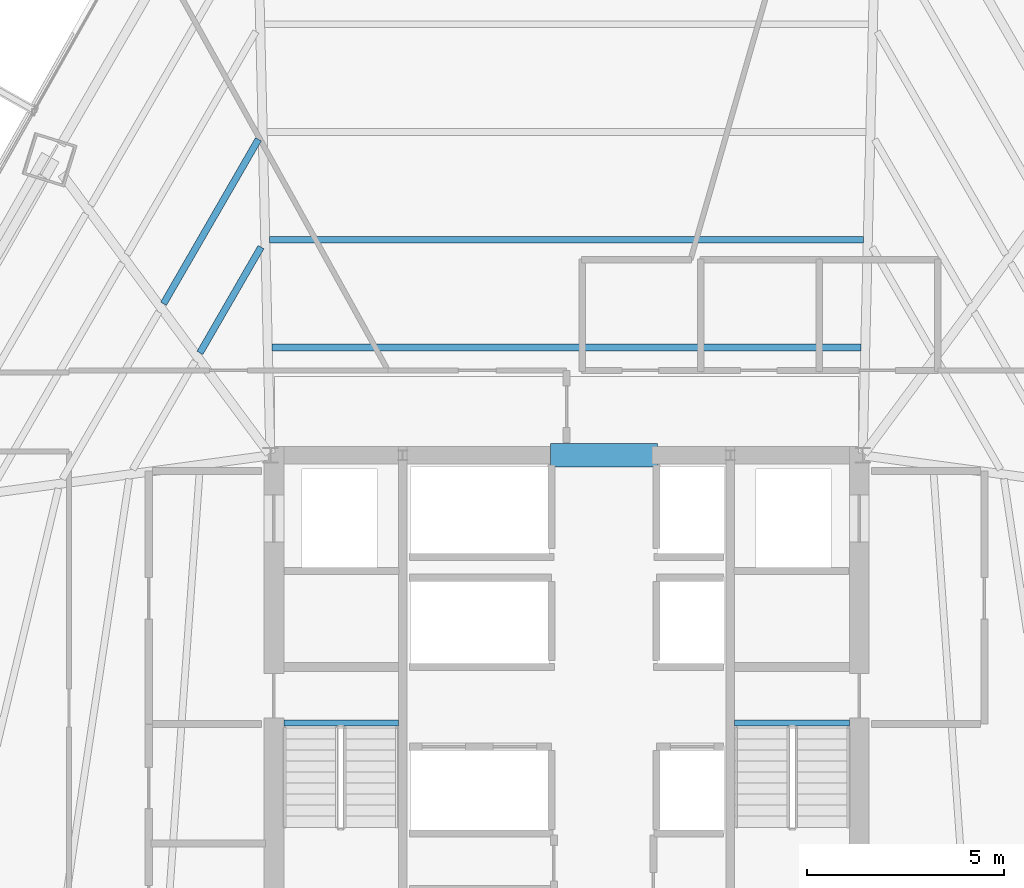
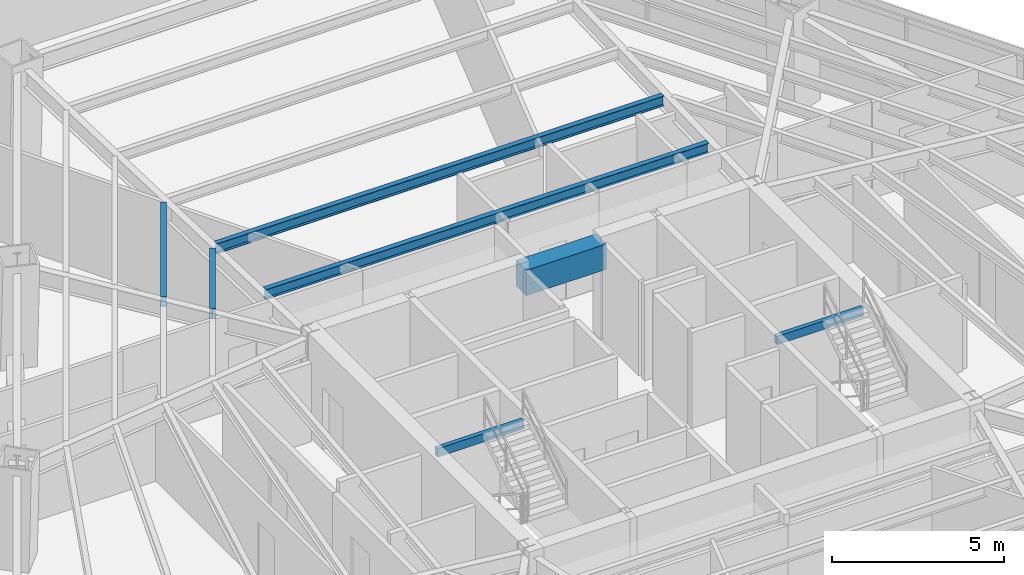
# One storey, part 14 of 36: 7 beams.
"""IFC4 building model written with IfcOpenShell, lengths in metres."""

from ifc_helpers import new_model, si_unit, direction, frame, origin, origin_2d, place, context, subcontext, project, spatial, rectangle, hollow_rectangle, i_section, extrude, source, transform, mapped, material, material_profile, profile_set, type_object, type_shapes, element, save


model = new_model("IFC4")

# Units and contexts
model_context = context("Model", 3, precision=1e-05, world=origin(), true_north=direction((0.0, 1.0)))
body_context = subcontext(model_context, "Body", "Model", "MODEL_VIEW")
ifc_project = project(units=[si_unit("LENGTHUNIT", "METRE"), si_unit("AREAUNIT", "SQUARE_METRE"), si_unit("VOLUMEUNIT", "CUBIC_METRE"), si_unit("PLANEANGLEUNIT", "RADIAN"), si_unit("MASSUNIT", "GRAM", prefix="KILO")], contexts=[model_context])

# Site, building, storey
site_placement = place(None, origin())
site = spatial("IfcSite", under=ifc_project, at=site_placement, CompositionType="ELEMENT")
building_placement = place(site_placement, origin())
building = spatial("IfcBuilding", under=site, at=building_placement, Name="Caelisora Broadcast Tower", CompositionType="ELEMENT")
storey_placement = place(building_placement, frame((0.0, 0.0, 83.5)))
storey = spatial("IfcBuildingStorey", under=building, at=storey_placement, Name="L21", CompositionType="ELEMENT", Elevation=83.5)

# Beams
ifc_material_1 = material(Name="Steel Grade 350 (AS/NZS 1163 C350L0)", Category="steel")
ifc_material_profile_1 = material_profile(ifc_material_1, hollow_rectangle(XDim=0.14990234375, YDim=0.300048828125, WallThickness=0.010009765625, at=origin_2d()), Name="Steel Grade 350 (AS/NZS 1163 C350L0)")
ifc_profile_set_1 = profile_set([ifc_material_profile_1], Name="Steel Grade 350 (AS/NZS 1163 C350L0)")
beam_type_1 = type_object("IfcBeamType", Name="SB05", PredefinedType="JOIST", material=ifc_profile_set_1)
shared_shape_1 = source(origin(), body_context, "Body", "SweptSolid", [
    extrude(hollow_rectangle(XDim=0.14990234375, YDim=0.300048828125, WallThickness=0.010009765625, at=origin_2d()), origin(), (0.0, 0.0, 1.0), 2.89990234375),
])
type_shapes(beam_type_1, [shared_shape_1])
for number, where, z_axis, x_axis, name in (
    (1, (30.840087890625, 23.219970703125, 3.25), (1.0, 0.0, 0.0), (0.0, 1.0, 0.0), "L21 beam SB05"),
    (2, (42.260009765625, 23.219970703125, 3.25), (1.0, 0.0, 0.0), (0.0, 1.0, 0.0), "L21 beam SB05"),
):
    element("IfcBeam", number, at=place(storey_placement, frame(where, z_axis=z_axis, x_axis=x_axis)), inside=storey, type_object=beam_type_1, Name=name, PredefinedType="JOIST", context=body_context, shape_type="MappedRepresentation", body=[
        mapped(shared_shape_1, transform((0.0, 0.0, 0.0), scale=1.0)),
    ])
ifc_material_2 = material(Name="Concrete 50 MPa (AS 3600 S50)", Category="concrete")
ifc_material_profile_2 = material_profile(ifc_material_2, rectangle(XDim=0.60009765625, YDim=0.89990234375, at=origin_2d()), Name="Concrete 50 MPa (AS 3600 S50)")
ifc_profile_set_2 = profile_set([ifc_material_profile_2], Name="Concrete 50 MPa (AS 3600 S50)")
beam_type_2 = type_object("IfcBeamType", Name="CB02", PredefinedType="LINTEL", material=ifc_profile_set_2)
shared_shape_2 = source(origin(), body_context, "Body", "SweptSolid", [
    extrude(rectangle(XDim=0.60009765625, YDim=0.89990234375, at=origin_2d()), origin(), (0.0, 0.0, 1.0), 2.699951171875),
])
type_shapes(beam_type_2, [shared_shape_2])
beam_1_placement = place(storey_placement, frame((37.60009765625, 30.0, 2.949951171875), z_axis=(1.0, 0.0, 0.0), x_axis=(0.0, 1.0, 0.0)))
element("IfcBeam", 3, at=beam_1_placement, inside=storey, type_object=beam_type_2, Name="L21 beam CB02", PredefinedType="LINTEL", context=body_context, shape_type="MappedRepresentation", body=[
    mapped(shared_shape_2, transform((0.0, 0.0, 0.0), scale=1.0)),
])
ifc_material_3 = material(Name="Steel Grade 350 (AS/NZS 3679.1)", Category="steel")
ifc_material_profile_3 = material_profile(ifc_material_3, i_section(OverallWidth=0.172119140625, OverallDepth=0.358642578125, WebThickness=0.008056640625, FlangeThickness=0.012939453125, at=origin_2d()), Name="Steel Grade 350 (AS/NZS 3679.1)")
ifc_profile_set_3 = profile_set([ifc_material_profile_3], Name="Steel Grade 350 (AS/NZS 3679.1)")
beam_type_3 = type_object("IfcBeamType", Name="SB02", PredefinedType="JOIST", material=ifc_profile_set_3)
shared_shape_3 = source(origin(), body_context, "Body", "SweptSolid", [
    extrude(i_section(OverallWidth=0.172119140625, OverallDepth=0.358642578125, WebThickness=0.008056640625, FlangeThickness=0.012939453125, at=origin_2d()), origin(), (0.0, 0.0, 1.0), 14.90771484375),
])
beam_2_placement = place(storey_placement, frame((45.453857421875, 32.7294921875, 3.220703125), z_axis=(-1.0, 0.0, 0.0), x_axis=(0.0, -1.0, 0.0)))
element("IfcBeam", 4, at=beam_2_placement, inside=storey, type_object=beam_type_3, Name="L21 beam SB02", PredefinedType="JOIST", context=body_context, shape_type="MappedRepresentation", body=[
    mapped(shared_shape_3, transform((0.0, 0.0, 0.0), scale=1.0)),
])
shared_shape_4 = source(origin(), body_context, "Body", "SweptSolid", [
    extrude(i_section(OverallWidth=0.172119140625, OverallDepth=0.358642578125, WebThickness=0.008056640625, FlangeThickness=0.012939453125, at=origin_2d()), origin(), (0.0, 0.0, 1.0), 15.03759765625),
])
beam_3_placement = place(storey_placement, frame((45.518798828125, 35.458984375, 3.220703125), z_axis=(-1.0, 0.0, 0.0), x_axis=(0.0, -1.0, 0.0)))
element("IfcBeam", 5, at=beam_3_placement, inside=storey, type_object=beam_type_3, Name="L21 beam SB02", PredefinedType="JOIST", context=body_context, shape_type="MappedRepresentation", body=[
    mapped(shared_shape_4, transform((0.0, 0.0, 0.0), scale=1.0)),
])
shared_shape_5 = source(origin(), body_context, "Body", "SweptSolid", [
    extrude(i_section(OverallWidth=0.172119140625, OverallDepth=0.358642578125, WebThickness=0.008056640625, FlangeThickness=0.012939453125, at=origin_2d()), origin(), (0.0, 0.0, 1.0), 3.092529296875),
])
beam_4_placement = place(storey_placement, frame((30.26220703125, 35.271728515625, 3.220703125), z_axis=(-0.499968473174, -0.866043605041, 0.0), x_axis=(0.866043605041, -0.499968473174, 0.0)))
element("IfcBeam", 6, at=beam_4_placement, inside=storey, type_object=beam_type_3, Name="L21 beam SB02", PredefinedType="JOIST", context=body_context, shape_type="MappedRepresentation", body=[
    mapped(shared_shape_5, transform((0.0, 0.0, 0.0), scale=1.0)),
])
shared_shape_6 = source(origin(), body_context, "Body", "SweptSolid", [
    extrude(i_section(OverallWidth=0.172119140625, OverallDepth=0.358642578125, WebThickness=0.008056640625, FlangeThickness=0.012939453125, at=origin_2d()), origin(), (0.0, 0.0, 1.0), 4.807373046875),
])
type_shapes(beam_type_3, [shared_shape_3, shared_shape_4, shared_shape_5, shared_shape_6])
beam_5_placement = place(storey_placement, frame((30.197509765625, 38.001220703125, 3.220703125), z_axis=(-0.500016981723, -0.86601559916, 0.0), x_axis=(0.86601559916, -0.500016981723, 0.0)))
element("IfcBeam", 7, at=beam_5_placement, inside=storey, type_object=beam_type_3, Name="L21 beam SB02", PredefinedType="JOIST", context=body_context, shape_type="MappedRepresentation", body=[
    mapped(shared_shape_6, transform((0.0, 0.0, 0.0), scale=1.0)),
])

save(model, "model.ifc")
